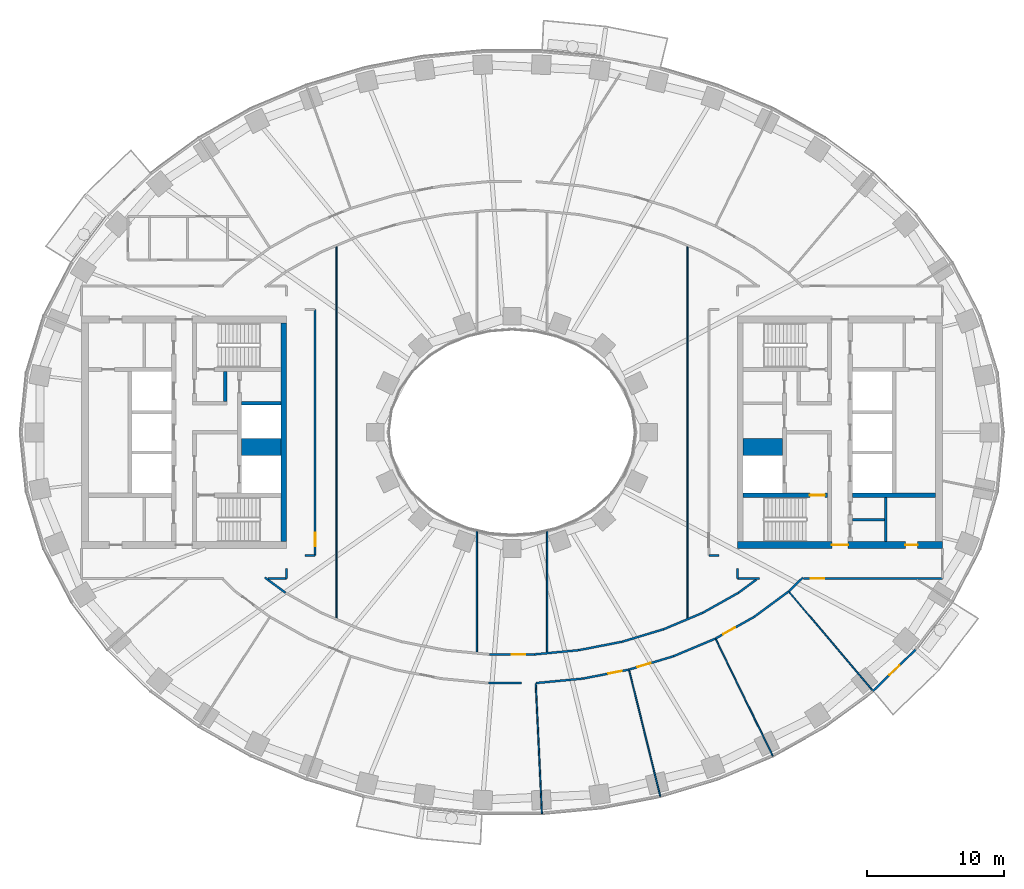
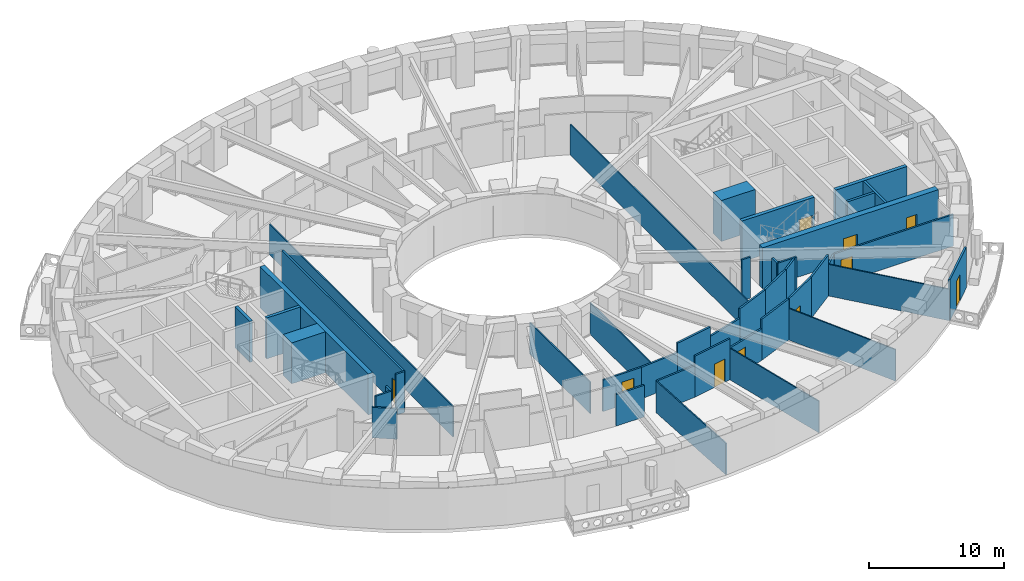
# One storey, part 4 of 16: 43 walls, 10 doors, 10 openings.
"""IFC4 building model written with IfcOpenShell, lengths in metres."""

import ifcopenshell
import ifcopenshell.guid

model = None  # the IFC model being written
_history = None  # IfcOwnerHistory: only IFC2X3 demands one
_inside = {}  # id of a spatial element -> (the spatial element, [elements in it])
_under = {}  # id of a project, library or spatial element -> (it, [spatial elements below it])
_declared = {}  # id of a project -> (the project, [libraries it declares])
_typed = {}  # id of a type object -> (the type object, [elements of that type])
_made_of = {}  # id of a material, layer set ... -> (it, [elements and type objects made of it])


def new_model(schema):
    """Start an empty IFC model of exactly this schema.

    Asked for "IFC4X3", IfcOpenShell would pick the latest addendum, in which some entities
    have other attributes; the version numbers below select the first issue.
    IFC2X3 requires an IfcOwnerHistory on every rooted entity: one is made here for all.
    """
    global model, _history
    if schema == "IFC4X3":
        model = ifcopenshell.file(schema_version=(4, 3, 0, 0))
    else:
        model = ifcopenshell.file(schema=schema)
    _inside.clear()
    _under.clear()
    _declared.clear()
    _typed.clear()
    _made_of.clear()
    _history = None
    if model.schema == "IFC2X3":
        org = make("IfcOrganization", Name="unknown")
        user = make(
            "IfcPersonAndOrganization",
            ThePerson=make("IfcPerson", FamilyName="unknown"),
            TheOrganization=org,
        )
        app = make(
            "IfcApplication",
            ApplicationDeveloper=org,
            Version="unknown",
            ApplicationFullName="unknown",
            ApplicationIdentifier="unknown",
        )
        _history = make(
            "IfcOwnerHistory",
            OwningUser=user,
            OwningApplication=app,
            ChangeAction="ADDED",
            CreationDate=0,
        )
    return model


def make(cls, **values):
    """One entity of the class cls with the attributes given. An attribute that is None is left unset."""
    return model.create_entity(
        cls, **{name: value for name, value in values.items() if value is not None}
    )


def rooted(cls, **values):
    """An entity with a GlobalId (a new one), such as an element, a storey or a relation."""
    return make(cls, GlobalId=ifcopenshell.guid.new(), OwnerHistory=_history, **values)


def si_unit(unit_type, name, prefix=None):
    """IfcSIUnit, for example si_unit("LENGTHUNIT", "METRE", prefix="MILLI")."""
    return make("IfcSIUnit", UnitType=unit_type, Prefix=prefix, Name=name)


def assignment(units):
    """IfcUnitAssignment: the units of a project."""
    return None if units is None else make("IfcUnitAssignment", Units=units)


def point(xyz):
    """IfcCartesianPoint."""
    return None if xyz is None else make("IfcCartesianPoint", Coordinates=xyz)


def direction(xyz):
    """IfcDirection."""
    return None if xyz is None else make("IfcDirection", DirectionRatios=xyz)


def frame(location, z_axis=None, x_axis=None):
    """IfcAxis2Placement3D, a coordinate frame: its origin and axes. An axis left out is left unset."""
    return make(
        "IfcAxis2Placement3D",
        Location=point(location),
        Axis=direction(z_axis),
        RefDirection=direction(x_axis),
    )


def frame_2d(location, x_axis=None):
    """IfcAxis2Placement2D, a coordinate frame in the plane: its origin and x axis."""
    return make(
        "IfcAxis2Placement2D", Location=point(location), RefDirection=direction(x_axis)
    )


def origin():
    """The frame at (0, 0, 0) with its axes left unset."""
    return frame((0.0, 0.0, 0.0))


def place(relative_to, where):
    """IfcLocalPlacement: puts the frame where relative to a parent placement (None: the world)."""
    return make(
        "IfcLocalPlacement", PlacementRelTo=relative_to, RelativePlacement=where
    )


def context(
    kind, dimensions, precision=None, world=None, true_north=None, identifier=None
):
    """IfcGeometricRepresentationContext, for example the 3D "Model" context."""
    return make(
        "IfcGeometricRepresentationContext",
        ContextIdentifier=identifier,
        ContextType=kind,
        CoordinateSpaceDimension=dimensions,
        Precision=precision,
        WorldCoordinateSystem=world,
        TrueNorth=true_north,
    )


def subcontext(parent, identifier, kind, view, scale=None):
    """IfcGeometricRepresentationSubContext, for example "Body" below "Model"."""
    return make(
        "IfcGeometricRepresentationSubContext",
        ContextIdentifier=identifier,
        ContextType=kind,
        ParentContext=parent,
        TargetScale=scale,
        TargetView=view,
    )


def project(units=None, contexts=None):
    """IfcProject with its units and contexts."""
    return rooted(
        "IfcProject",
        Name="project",
        RepresentationContexts=contexts,
        UnitsInContext=assignment(units),
    )


def spatial(cls, under=None, at=None, **own):
    """A site, building, storey or space (cls), placed at a placement, below another one or the project."""
    s = rooted(cls, ObjectPlacement=at, **own)
    if under is not None:
        _under.setdefault(under.id(), (under, []))[1].append(s)
    return s


def profile(cls, at=None, kind="AREA", **sizes):
    """A parametric profile (cls). Its sizes go by their IFC names, for example OverallWidth=200.0."""
    return make(cls, ProfileType=kind, Position=at, **sizes)


def rectangle(**sizes):
    """IfcRectangleProfileDef."""
    return profile("IfcRectangleProfileDef", **sizes)


def extrude(swept, where, along, depth):
    """IfcExtrudedAreaSolid: the profile swept, set in the frame where, extruded along a direction by depth."""
    return make(
        "IfcExtrudedAreaSolid",
        SweptArea=swept,
        Position=where,
        ExtrudedDirection=direction(along),
        Depth=depth,
    )


def shape(context_of_items, identifier, shape_type, items):
    """IfcShapeRepresentation: the items that make up one representation, for example the "Body"."""
    return make(
        "IfcShapeRepresentation",
        ContextOfItems=context_of_items,
        RepresentationIdentifier=identifier,
        RepresentationType=shape_type,
        Items=items,
    )


def material(Name=None, Category=None):
    """IfcMaterial."""
    return make("IfcMaterial", Name=Name, Category=Category)


def layer(
    of_material, thickness, ventilated=None, Name=None, Category=None, Priority=None
):
    """IfcMaterialLayer: one layer of a wall or slab, of a material (None: an air gap)."""
    return make(
        "IfcMaterialLayer",
        Material=of_material,
        LayerThickness=thickness,
        IsVentilated=ventilated,
        Name=Name,
        Category=Category,
        Priority=Priority,
    )


def layer_set(layers, Name=None):
    """IfcMaterialLayerSet."""
    return make("IfcMaterialLayerSet", MaterialLayers=layers, LayerSetName=Name)


def made_of(thing, what):
    """Note that an element or type object is made of a material, layer set ...; save() writes the relation."""
    if what is not None:
        _made_of.setdefault(what.id(), (what, []))[1].append(thing)
    return thing


def type_object(cls, material=None, **own):
    """A type object (cls), such as IfcWallType, which elements share."""
    return made_of(rooted(cls, **own), material)


def element(
    cls,
    number,
    at=None,
    inside=None,
    cuts=None,
    type_object=None,
    material=None,
    context=None,
    identifier="Body",
    shape_type=None,
    held_by="IfcProductDefinitionShape",
    body=None,
    shapes=None,
    **own,
):
    """One element of the class cls, such as IfcWall. Its Tag is "e" and its number.

    at: its placement. inside: the storey or other place that contains it. cuts: it is an
    opening in that element (IfcRelVoidsElement). A single representation is given by context,
    identifier, shape_type and body (its items); several are given by shapes. held_by: the class
    of the entity that holds the representations. save() writes the other relations.
    """
    e = rooted(cls, Tag="e%d" % number, ObjectPlacement=at, **own)
    if body is not None:
        shapes = [shape(context, identifier, shape_type, body)]
    if shapes is not None:
        e.Representation = make(held_by, Representations=shapes)
    if inside is not None:
        _inside.setdefault(inside.id(), (inside, []))[1].append(e)
    if cuts is not None:
        rooted(
            "IfcRelVoidsElement", RelatingBuildingElement=cuts, RelatedOpeningElement=e
        )
    if type_object is not None:
        _typed.setdefault(type_object.id(), (type_object, []))[1].append(e)
    return made_of(e, material)


def fill(opening, filler):
    """IfcRelFillsElement: the door or window that sits in an opening."""
    return rooted(
        "IfcRelFillsElement",
        RelatingOpeningElement=opening,
        RelatedBuildingElement=filler,
    )


def aggregate(whole, parts):
    """IfcRelAggregates: a whole, such as a stair, and the parts it consists of."""
    return rooted("IfcRelAggregates", RelatingObject=whole, RelatedObjects=parts)


def save(model, path):
    """Write the relations noted so far, then the file.

    IfcRelAggregates (storeys below a building ...), IfcRelContainedInSpatialStructure (elements
    in a storey), IfcRelDefinesByType, IfcRelAssociatesMaterial and IfcRelDeclares: one each for
    every whole, place, type object, material and project.
    """
    for whole, parts in _under.values():
        aggregate(whole, parts)
    for where, things in _inside.values():
        rooted(
            "IfcRelContainedInSpatialStructure",
            RelatedElements=things,
            RelatingStructure=where,
        )
    for kind, things in _typed.values():
        rooted("IfcRelDefinesByType", RelatedObjects=things, RelatingType=kind)
    for what, things in _made_of.values():
        rooted("IfcRelAssociatesMaterial", RelatedObjects=things, RelatingMaterial=what)
    for by, libraries in _declared.values():
        rooted("IfcRelDeclares", RelatingContext=by, RelatedDefinitions=libraries)
    model.write(path)


model = new_model("IFC4")

# Units and contexts
model_context = context("Model", 3, precision=1e-05, world=origin(), true_north=direction((0.0, 1.0)))
body_context = subcontext(model_context, "Body", "Model", "MODEL_VIEW")
ifc_project = project(units=[si_unit("LENGTHUNIT", "METRE"), si_unit("AREAUNIT", "SQUARE_METRE"), si_unit("VOLUMEUNIT", "CUBIC_METRE"), si_unit("PLANEANGLEUNIT", "RADIAN"), si_unit("MASSUNIT", "GRAM", prefix="KILO")], contexts=[model_context])

# Site, building, storey
site_placement = place(None, origin())
site = spatial("IfcSite", under=ifc_project, at=site_placement, CompositionType="ELEMENT")
building_placement = place(site_placement, origin())
building = spatial("IfcBuilding", under=site, at=building_placement, Name="Noorbagh Ring Tower", CompositionType="ELEMENT")
storey_placement = place(building_placement, frame((0.0, 0.0, 70.5)))
storey = spatial("IfcBuildingStorey", under=building, at=storey_placement, Name="L15", CompositionType="ELEMENT", Elevation=70.5)

# Walls
ifc_material_1 = material(Name="Gypsum board on steel studs", Category="steel")
ifc_layer_1 = layer(ifc_material_1, 0.199951171875)
ifc_layer_set_1 = layer_set([ifc_layer_1], Name="Gypsum board on steel studs")
wall_type_1 = type_object("IfcWallType", Name="CORE-PARTITION-200", PredefinedType="PARTITIONING", material=ifc_layer_set_1)
wall_1_placement = place(storey_placement, frame((27.35009765625, -8.0, 0.0), z_axis=(0.0, 0.0, 1.0), x_axis=(0.0, 1.0, 0.0)))
element("IfcWall", 1, at=wall_1_placement, inside=storey, type_object=wall_type_1, Name="Core partition E", PredefinedType="PARTITIONING", context=body_context, shape_type="SweptSolid", body=[
    extrude(rectangle(XDim=3.25, YDim=0.199951171875, at=frame_2d((1.625, 0.0))), origin(), (0.0, 0.0, 1.0), 3.699951171875),
])
wall_2_placement = place(storey_placement, frame((24.89990234375, -6.39990234375, 0.0), z_axis=(0.0, 0.0, 1.0), x_axis=(1.0, 0.0, 0.0)))
element("IfcWall", 2, at=wall_2_placement, inside=storey, type_object=wall_type_1, Name="Core partition E", PredefinedType="PARTITIONING", context=body_context, shape_type="SweptSolid", body=[
    extrude(rectangle(XDim=2.35009765625, YDim=0.199951171875, at=frame_2d((1.175048828125, 0.0))), origin(), (0.0, 0.0, 1.0), 3.699951171875),
])
ifc_material_2 = material(Name="Concrete C70/85", Category="concrete")
ifc_layer_2 = layer(ifc_material_2, 1.25)
ifc_layer_set_2 = layer_set([ifc_layer_2], Name="Concrete C70/85")
wall_type_2 = type_object("IfcWallType", Name="CORE-WALL-1250-C70-85-EI120", PredefinedType="SHEAR", material=ifc_layer_set_2)
for number, where, z_axis, x_axis, name in (
    (3, (-16.89990234375, -1.074951171875, 0.0), (0.0, 0.0, 1.0), (-1.0, 0.0, 0.0), "Core wall W"),
    (4, (16.89990234375, -1.074951171875, 0.0), (0.0, 0.0, 1.0), (1.0, 0.0, 0.0), "Core wall E"),
):
    element("IfcWall", number, at=place(storey_placement, frame(where, z_axis=z_axis, x_axis=x_axis)), inside=storey, type_object=wall_type_2, Name=name, PredefinedType="SHEAR", context=body_context, shape_type="SweptSolid", body=[
        extrude(rectangle(XDim=2.900146484375, YDim=1.25, at=frame_2d((1.4501953125, 0.0))), origin(), (0.0, 0.0, 1.0), 3.699951171875),
    ])
ifc_material_3 = material(Name="Concrete C70/85", Category="concrete")
ifc_layer_3 = layer(ifc_material_3, 0.25)
ifc_layer_set_3 = layer_set([ifc_layer_3], Name="Concrete C70/85")
wall_type_3 = type_object("IfcWallType", Name="CORE-WALL-250-C70-85-EI120", PredefinedType="SHEAR", material=ifc_layer_set_3)
wall_3_placement = place(storey_placement, frame((-16.89990234375, 2.125, 0.0), z_axis=(0.0, 0.0, 1.0), x_axis=(-1.0, 0.0, 0.0)))
element("IfcWall", 5, at=wall_3_placement, inside=storey, type_object=wall_type_3, Name="Core wall W", PredefinedType="SHEAR", context=body_context, shape_type="SweptSolid", body=[
    extrude(rectangle(XDim=2.900146484375, YDim=0.25, at=frame_2d((1.4501953125, 0.0))), origin(), (0.0, 0.0, 1.0), 3.699951171875),
])
ifc_material_4 = material(Name="Concrete C70/85", Category="concrete")
ifc_layer_4 = layer(ifc_material_4, 0.25)
ifc_layer_set_4 = layer_set([ifc_layer_4], Name="Concrete C70/85")
wall_type_4 = type_object("IfcWallType", Name="CORE-WALL-250-C70-85-EI240", PredefinedType="SHEAR", material=ifc_layer_set_4)
wall_4_placement = place(storey_placement, frame((-20.97509765625, 2.25, 0.0), z_axis=(0.0, 0.0, 1.0), x_axis=(0.0, 1.0, 0.0)))
element("IfcWall", 6, at=wall_4_placement, inside=storey, type_object=wall_type_4, Name="Core wall W", PredefinedType="SHEAR", context=body_context, shape_type="SweptSolid", body=[
    extrude(rectangle(XDim=2.199951171875, YDim=0.25, at=frame_2d((1.10009765625, 0.0))), origin(), (0.0, 0.0, 1.0), 3.699951171875),
])
ifc_material_5 = material(Name="Concrete C70/85", Category="concrete")
ifc_layer_5 = layer(ifc_material_5, 0.300048828125)
ifc_layer_set_5 = layer_set([ifc_layer_5], Name="Concrete C70/85")
wall_type_5 = type_object("IfcWallType", Name="CORE-WALL-300-C70-85-EI240", PredefinedType="SHEAR", material=ifc_layer_set_5)
wall_5_placement = place(storey_placement, frame((24.89990234375, -4.60009765625, 0.0), z_axis=(0.0, 0.0, 1.0), x_axis=(1.0, 0.0, 0.0)))
element("IfcWall", 7, at=wall_5_placement, inside=storey, type_object=wall_type_5, Name="Core wall E", PredefinedType="SHEAR", context=body_context, shape_type="SweptSolid", body=[
    extrude(rectangle(XDim=6.10009765625, YDim=0.300048828125, at=frame_2d((3.050048828125, 0.0))), origin(), (0.0, 0.0, 1.0), 3.699951171875),
])

# Wall, opening, door
wall_6_placement = place(storey_placement, frame((16.89990234375, -4.60009765625, 0.0), z_axis=(0.0, 0.0, 1.0), x_axis=(1.0, 0.0, 0.0)))
wall_6 = element("IfcWall", 8, at=wall_6_placement, inside=storey, type_object=wall_type_5, Name="Core wall E", PredefinedType="SHEAR", context=body_context, shape_type="SweptSolid", body=[
    extrude(rectangle(XDim=6.18017578125, YDim=0.300048828125, at=frame_2d((3.090087890625, 0.0))), origin(), (0.0, 0.0, 1.0), 3.699951171875),
])
opening_1_placement = place(wall_6_placement, frame((4.89990234375, 0.0, 0.0)))
opening_1 = element("IfcOpeningElement", 9, at=opening_1_placement, cuts=wall_6, Name="Opening L15-CE06", PredefinedType="OPENING", context=body_context, shape_type="SweptSolid", body=[
    extrude(rectangle(XDim=1.10009765625, YDim=2.10009765625, at=frame_2d((0.550048828125, 1.050048828125))), frame((0.0, 0.16015625, 0.0), z_axis=(0.0, -1.0, 0.0), x_axis=(1.0, 0.0, 0.0)), (0.0, 0.0, 1.0), 0.320068359375),
])
ifc_material_6 = material(Name="Steel door leaf", Category="steel")
door_type_1 = type_object("IfcDoorType", Name="CORE-DOOR-DSTAIR", OperationType="SINGLE_SWING_LEFT", PredefinedType="DOOR", material=ifc_material_6)
door_1_placement = place(opening_1_placement, origin())
door_1 = element("IfcDoor", 10, at=door_1_placement, inside=storey, type_object=door_type_1, Name="Stair door ST4 L15-CE06", OperationType="SINGLE_SWING_RIGHT", OverallHeight=2.10009765625, OverallWidth=1.10009765625, PredefinedType="DOOR", context=body_context, shape_type="SweptSolid", body=[
    extrude(rectangle(XDim=1.10009765625, YDim=2.10009765625, at=frame_2d((0.550048828125, 1.050048828125))), frame((0.0, 0.02490234375, 0.0), z_axis=(0.0, -1.0, 0.0), x_axis=(1.0, 0.0, 0.0)), (0.0, 0.0, 1.0), 0.050048828125),
])
fill(opening_1, door_1)

# Wall
ifc_material_7 = material(Name="Concrete C70/85", Category="concrete")
ifc_layer_6 = layer(ifc_material_7, 0.39990234375)
ifc_layer_set_6 = layer_set([ifc_layer_6], Name="Concrete C70/85")
wall_type_6 = type_object("IfcWallType", Name="CORE-WALL-400-C70-85-EI240", PredefinedType="SHEAR", material=ifc_layer_set_6)
wall_7_placement = place(storey_placement, frame((-16.699951171875, -8.0, 0.0), z_axis=(0.0, 0.0, 1.0), x_axis=(0.0, 1.0, 0.0)))
element("IfcWall", 11, at=wall_7_placement, inside=storey, type_object=wall_type_6, Name="Core wall W", PredefinedType="SHEAR", context=body_context, shape_type="SweptSolid", body=[
    extrude(rectangle(XDim=16.0, YDim=0.39990234375, at=frame_2d((8.0, 0.0))), origin(), (0.0, 0.0, 1.0), 3.699951171875),
])

# Wall, openings, doors
ifc_material_8 = material(Name="Concrete C70/85", Category="concrete")
ifc_layer_7 = layer(ifc_material_8, 0.5)
ifc_layer_set_7 = layer_set([ifc_layer_7], Name="Concrete C70/85")
wall_type_7 = type_object("IfcWallType", Name="CORE-WALL-500-C70-85-EI240", PredefinedType="SHEAR", material=ifc_layer_set_7)
wall_8_placement = place(storey_placement, frame((16.5, -8.25, 0.0), z_axis=(0.0, 0.0, 1.0), x_axis=(1.0, 0.0, 0.0)))
wall_8 = element("IfcWall", 12, at=wall_8_placement, inside=storey, type_object=wall_type_7, Name="Core wall E", PredefinedType="SHEAR", context=body_context, shape_type="SweptSolid", body=[
    extrude(rectangle(XDim=15.0, YDim=0.5, at=frame_2d((7.5, 0.0))), origin(), (0.0, 0.0, 1.0), 3.699951171875),
])
opening_2_placement = place(wall_8_placement, frame((6.89990234375, 0.0, 0.0)))
opening_2 = element("IfcOpeningElement", 13, at=opening_2_placement, cuts=wall_8, Name="Opening L15-CE10", PredefinedType="OPENING", context=body_context, shape_type="SweptSolid", body=[
    extrude(rectangle(XDim=1.199951171875, YDim=2.10009765625, at=frame_2d((0.60009765625, 1.050048828125))), frame((0.0, 0.260009765625, 0.0), z_axis=(0.0, -1.0, 0.0), x_axis=(1.0, 0.0, 0.0)), (0.0, 0.0, 1.0), 0.52001953125),
])
opening_3_placement = place(wall_8_placement, frame((12.27490234375, 0.0, 0.0)))
opening_3 = element("IfcOpeningElement", 14, at=opening_3_placement, cuts=wall_8, Name="Opening L15-CE17", PredefinedType="OPENING", context=body_context, shape_type="SweptSolid", body=[
    extrude(rectangle(XDim=0.89990234375, YDim=2.10009765625, at=frame_2d((0.449951171875, 1.050048828125))), frame((0.0, 0.260009765625, 0.0), z_axis=(0.0, -1.0, 0.0), x_axis=(1.0, 0.0, 0.0)), (0.0, 0.0, 1.0), 0.52001953125),
])
ifc_material_9 = material(Name="Steel door leaf", Category="steel")
door_type_2 = type_object("IfcDoorType", Name="CORE-DOOR-DROOM", OperationType="SINGLE_SWING_LEFT", PredefinedType="DOOR", material=ifc_material_9)
door_2_placement = place(opening_3_placement, origin())
door_2 = element("IfcDoor", 15, at=door_2_placement, inside=storey, type_object=door_type_2, Name="Core room door L15-CE17", OperationType="SINGLE_SWING_RIGHT", OverallHeight=2.10009765625, OverallWidth=0.89990234375, PredefinedType="DOOR", context=body_context, shape_type="SweptSolid", body=[
    extrude(rectangle(XDim=0.89990234375, YDim=2.10009765625, at=frame_2d((0.449951171875, 1.050048828125))), frame((0.0, 0.02490234375, 0.0), z_axis=(0.0, -1.0, 0.0), x_axis=(1.0, 0.0, 0.0)), (0.0, 0.0, 1.0), 0.050048828125),
])
fill(opening_3, door_2)
ifc_material_10 = material(Name="Steel door leaf", Category="steel")
door_type_3 = type_object("IfcDoorType", Name="CORE-DOOR-PORT", OperationType="DOUBLE_DOOR_DOUBLE_SWING", PredefinedType="DOOR", material=ifc_material_10)
door_3_placement = place(opening_2_placement, origin())
door_3 = element("IfcDoor", 16, at=door_3_placement, inside=storey, type_object=door_type_3, Name="Core entrance door L15-CE10", OperationType="DOUBLE_DOOR_DOUBLE_SWING", OverallHeight=2.10009765625, OverallWidth=1.199951171875, PredefinedType="DOOR", context=body_context, shape_type="SweptSolid", body=[
    extrude(rectangle(XDim=1.199951171875, YDim=2.10009765625, at=frame_2d((0.60009765625, 1.050048828125))), frame((0.0, 0.02490234375, 0.0), z_axis=(0.0, -1.0, 0.0), x_axis=(1.0, 0.0, 0.0)), (0.0, 0.0, 1.0), 0.050048828125),
])
fill(opening_2, door_3)

# Walls
ifc_material_11 = material(Name="Gypsum board on steel studs", Category="steel")
ifc_layer_8 = layer(ifc_material_11, 0.14990234375)
ifc_layer_set_8 = layer_set([ifc_layer_8], Name="Gypsum board on steel studs")
wall_type_8 = type_object("IfcWallType", Name="CORRIDOR PARTITION 150 EI 30", PredefinedType="PARTITIONING", material=ifc_layer_set_8)
wall_9_placement = place(storey_placement, frame((-18.0830078125, -10.625, 0.0), z_axis=(0.0, 0.0, 1.0), x_axis=(0.805150898842, -0.593070004379, 0.0)))
element("IfcWall", 17, at=wall_9_placement, inside=storey, type_object=wall_type_8, Name="L15/wall/P21", PredefinedType="PARTITIONING", context=body_context, shape_type="SweptSolid", body=[
    extrude(rectangle(XDim=1.871826171875, YDim=0.14990234375, at=frame_2d((0.93603515625, 0.0))), origin(), (0.0, 0.0, 1.0), 2.75),
])
wall_10_placement = place(storey_placement, frame((-17.85498046875, -10.699951171875, 0.0), z_axis=(0.0, 0.0, 1.0), x_axis=(1.0, 0.0, 0.0)))
element("IfcWall", 18, at=wall_10_placement, inside=storey, type_object=wall_type_8, Name="L15/wall/P22", PredefinedType="PARTITIONING", context=body_context, shape_type="SweptSolid", body=[
    extrude(rectangle(XDim=1.35498046875, YDim=0.14990234375, at=frame_2d((0.677490234375, 0.0))), origin(), (0.0, 0.0, 1.0), 3.699951171875),
])
wall_11_placement = place(storey_placement, frame((-16.5, -10.699951171875, 0.0), z_axis=(0.0, 0.0, 1.0), x_axis=(0.0, 1.0, 0.0)))
element("IfcWall", 19, at=wall_11_placement, inside=storey, type_object=wall_type_8, Name="L15/wall/P29", PredefinedType="PARTITIONING", context=body_context, shape_type="SweptSolid", body=[
    extrude(rectangle(XDim=0.73583984375, YDim=0.14990234375, at=frame_2d((0.367919921875, 0.0))), origin(), (0.0, 0.0, 1.0), 3.699951171875),
])
wall_12_placement = place(storey_placement, frame((-15.134033203125, -9.0, 0.0), z_axis=(0.0, 0.0, 1.0), x_axis=(1.0, 0.0, 0.0)))
element("IfcWall", 20, at=wall_12_placement, inside=storey, type_object=wall_type_8, Name="L15/wall/P31", PredefinedType="PARTITIONING", context=body_context, shape_type="SweptSolid", body=[
    extrude(rectangle(XDim=0.734130859375, YDim=0.14990234375, at=frame_2d((0.3671875, 0.0))), origin(), (0.0, 0.0, 1.0), 3.699951171875),
])

# Wall, opening, door
wall_13_placement = place(storey_placement, frame((-14.39990234375, -9.0, 0.0), z_axis=(0.0, 0.0, 1.0), x_axis=(0.0, 1.0, 0.0)))
wall_13 = element("IfcWall", 21, at=wall_13_placement, inside=storey, type_object=wall_type_8, Name="L15/wall/P37", PredefinedType="PARTITIONING", context=body_context, shape_type="SweptSolid", body=[
    extrude(rectangle(XDim=18.0, YDim=0.14990234375, at=frame_2d((9.0, 0.0))), origin(), (0.0, 0.0, 1.0), 3.699951171875),
])
opening_4_placement = place(wall_13_placement, frame((0.64990234375, 0.0, 0.0)))
opening_4 = element("IfcOpeningElement", 22, at=opening_4_placement, cuts=wall_13, Name="Opening D1", PredefinedType="OPENING", context=body_context, shape_type="SweptSolid", body=[
    extrude(rectangle(XDim=1.0, YDim=2.10009765625, at=frame_2d((0.5, 1.050048828125))), frame((0.0, 0.0849609375, 0.0), z_axis=(0.0, -1.0, 0.0), x_axis=(1.0, 0.0, 0.0)), (0.0, 0.0, 1.0), 0.169921875),
])
ifc_material_12 = material(Name="Timber, painted", Category="wood")
door_type_4 = type_object("IfcDoorType", Name="DOOR 1000 X 2100 FD30", OperationType="SINGLE_SWING_LEFT", PredefinedType="DOOR", material=ifc_material_12)
door_4_placement = place(opening_4_placement, origin())
door_4 = element("IfcDoor", 23, at=door_4_placement, inside=storey, type_object=door_type_4, Name="L15-D21", OperationType="SINGLE_SWING_LEFT", OverallHeight=2.10009765625, OverallWidth=1.0, PredefinedType="DOOR", context=body_context, shape_type="SweptSolid", body=[
    extrude(rectangle(XDim=1.0, YDim=2.10009765625, at=frame_2d((0.5, 1.050048828125))), frame((0.0, 0.02490234375, 0.0), z_axis=(0.0, -1.0, 0.0), x_axis=(1.0, 0.0, 0.0)), (0.0, 0.0, 1.0), 0.050048828125),
])
fill(opening_4, door_4)

# Wall
wall_14_placement = place(storey_placement, frame((-1.736083984375, -18.347900390625, 0.0), z_axis=(0.0, 0.0, 1.0), x_axis=(1.0, 0.0, 0.0)))
element("IfcWall", 24, at=wall_14_placement, inside=storey, type_object=wall_type_8, Name="L15/wall/P55", PredefinedType="PARTITIONING", context=body_context, shape_type="SweptSolid", body=[
    extrude(rectangle(XDim=2.4130859375, YDim=0.14990234375, at=frame_2d((1.20654296875, 0.0))), origin(), (0.0, 0.0, 1.0), 2.85009765625),
])

# Wall, opening, door
wall_15_placement = place(storey_placement, frame((-1.635986328125, -16.248046875, 0.0), z_axis=(0.0, 0.0, 1.0), x_axis=(1.0, 0.0, 0.0)))
wall_15 = element("IfcWall", 25, at=wall_15_placement, inside=storey, type_object=wall_type_8, Name="L15/wall/P57", PredefinedType="PARTITIONING", context=body_context, shape_type="SweptSolid", body=[
    extrude(rectangle(XDim=3.27197265625, YDim=0.14990234375, at=frame_2d((1.635986328125, 0.0))), origin(), (0.0, 0.0, 1.0), 2.85009765625),
])
opening_5_placement = place(wall_15_placement, frame((1.6220703125, 0.0, 0.0)))
opening_5 = element("IfcOpeningElement", 26, at=opening_5_placement, cuts=wall_15, Name="Opening D1", PredefinedType="OPENING", context=body_context, shape_type="SweptSolid", body=[
    extrude(rectangle(XDim=1.0, YDim=2.10009765625, at=frame_2d((0.5, 1.050048828125))), frame((0.0, 0.0849609375, 0.0), z_axis=(0.0, -1.0, 0.0), x_axis=(1.0, 0.0, 0.0)), (0.0, 0.0, 1.0), 0.169921875),
])
door_5_placement = place(opening_5_placement, origin())
door_5 = element("IfcDoor", 27, at=door_5_placement, inside=storey, type_object=door_type_4, Name="L15-D23", OperationType="SINGLE_SWING_LEFT", OverallHeight=2.10009765625, OverallWidth=1.0, PredefinedType="DOOR", context=body_context, shape_type="SweptSolid", body=[
    extrude(rectangle(XDim=1.0, YDim=2.10009765625, at=frame_2d((0.5, 1.050048828125))), frame((0.0, 0.02490234375, 0.0), z_axis=(0.0, -1.0, 0.0), x_axis=(1.0, 0.0, 0.0)), (0.0, 0.0, 1.0), 0.050048828125),
])
fill(opening_5, door_5)

# Walls
wall_16_placement = place(storey_placement, frame((1.635986328125, -16.248046875, 0.0), z_axis=(0.0, 0.0, 1.0), x_axis=(0.99547459835, 0.095028017131, 0.0)))
element("IfcWall", 28, at=wall_16_placement, inside=storey, type_object=wall_type_8, Name="L15/wall/P59", PredefinedType="PARTITIONING", context=body_context, shape_type="SweptSolid", body=[
    extrude(rectangle(XDim=3.2626953125, YDim=0.14990234375, at=frame_2d((1.63134765625, 0.0))), origin(), (0.0, 0.0, 1.0), 2.85009765625),
])
wall_17_placement = place(storey_placement, frame((1.756103515625, -18.345947265625, 0.0), z_axis=(0.0, 0.0, 1.0), x_axis=(0.99548367506, 0.094932885187, 0.0)))
element("IfcWall", 29, at=wall_17_placement, inside=storey, type_object=wall_type_8, Name="L15/wall/P62", PredefinedType="PARTITIONING", context=body_context, shape_type="SweptSolid", body=[
    extrude(rectangle(XDim=3.443603515625, YDim=0.14990234375, at=frame_2d((1.7216796875, 0.0))), origin(), (0.0, 0.0, 1.0), 2.85009765625),
])
wall_18_placement = place(storey_placement, frame((4.884033203125, -15.93798828125, 0.0), z_axis=(0.0, 0.0, 1.0), x_axis=(0.981604377859, 0.190926282547, 0.0)))
element("IfcWall", 30, at=wall_18_placement, inside=storey, type_object=wall_type_8, Name="L15/wall/P67", PredefinedType="PARTITIONING", context=body_context, shape_type="SweptSolid", body=[
    extrude(rectangle(XDim=3.231201171875, YDim=0.14990234375, at=frame_2d((1.61572265625, 0.0))), origin(), (0.0, 0.0, 1.0), 3.699951171875),
])

# Wall, opening, door
wall_19_placement = place(storey_placement, frame((5.18408203125, -18.01904296875, 0.0), z_axis=(0.0, 0.0, 1.0), x_axis=(0.981650299947, 0.190690032812, 0.0)))
wall_19 = element("IfcWall", 31, at=wall_19_placement, inside=storey, type_object=wall_type_8, Name="L15/wall/P69", PredefinedType="PARTITIONING", context=body_context, shape_type="SweptSolid", body=[
    extrude(rectangle(XDim=3.419677734375, YDim=0.14990234375, at=frame_2d((1.7099609375, 0.0))), origin(), (0.0, 0.0, 1.0), 3.699951171875),
])
opening_6_placement = place(wall_19_placement, frame((1.89990234375, 0.0, 0.0)))
opening_6 = element("IfcOpeningElement", 32, at=opening_6_placement, cuts=wall_19, Name="Opening D1", PredefinedType="OPENING", context=body_context, shape_type="SweptSolid", body=[
    extrude(rectangle(XDim=1.0, YDim=2.10009765625, at=frame_2d((0.5, 1.050048828125))), frame((0.0, 0.0849609375, 0.0), z_axis=(0.0, -1.0, 0.0), x_axis=(1.0, 0.0, 0.0)), (0.0, 0.0, 1.0), 0.169921875),
])
door_6_placement = place(opening_6_placement, origin())
door_6 = element("IfcDoor", 33, at=door_6_placement, inside=storey, type_object=door_type_4, Name="L15-D12", OperationType="SINGLE_SWING_RIGHT", OverallHeight=2.10009765625, OverallWidth=1.0, PredefinedType="DOOR", context=body_context, shape_type="SweptSolid", body=[
    extrude(rectangle(XDim=1.0, YDim=2.10009765625, at=frame_2d((0.5, 1.050048828125))), frame((0.0, 0.02490234375, 0.0), z_axis=(0.0, -1.0, 0.0), x_axis=(1.0, 0.0, 0.0)), (0.0, 0.0, 1.0), 0.050048828125),
])
fill(opening_6, door_6)

# Wall
wall_20_placement = place(storey_placement, frame((8.055908203125, -15.321044921875, 0.0), z_axis=(0.0, 0.0, 1.0), x_axis=(0.957612601062, 0.28805920622, 0.0)))
element("IfcWall", 34, at=wall_20_placement, inside=storey, type_object=wall_type_8, Name="L15/wall/P71", PredefinedType="PARTITIONING", context=body_context, shape_type="SweptSolid", body=[
    extrude(rectangle(XDim=3.179931640625, YDim=0.14990234375, at=frame_2d((1.58984375, 0.0))), origin(), (0.0, 0.0, 1.0), 2.85009765625),
])

# Wall, opening, door
wall_21_placement = place(storey_placement, frame((8.56005859375, -17.363037109375, 0.0), z_axis=(0.0, 0.0, 1.0), x_axis=(0.95754884035, 0.28827108482, 0.0)))
wall_21 = element("IfcWall", 35, at=wall_21_placement, inside=storey, type_object=wall_type_8, Name="L15/wall/P73", PredefinedType="PARTITIONING", context=body_context, shape_type="SweptSolid", body=[
    extrude(rectangle(XDim=3.396240234375, YDim=0.14990234375, at=frame_2d((1.6982421875, 0.0))), origin(), (0.0, 0.0, 1.0), 2.85009765625),
])
opening_7_placement = place(wall_21_placement, frame((0.64990234375, 0.0, 0.0)))
opening_7 = element("IfcOpeningElement", 36, at=opening_7_placement, cuts=wall_21, Name="Opening D1", PredefinedType="OPENING", context=body_context, shape_type="SweptSolid", body=[
    extrude(rectangle(XDim=1.0, YDim=2.10009765625, at=frame_2d((0.5, 1.050048828125))), frame((0.0, 0.0849609375, 0.0), z_axis=(0.0, -1.0, 0.0), x_axis=(1.0, 0.0, 0.0)), (0.0, 0.0, 1.0), 0.169921875),
])
door_7_placement = place(opening_7_placement, origin())
door_7 = element("IfcDoor", 37, at=door_7_placement, inside=storey, type_object=door_type_4, Name="L15-D13", OperationType="SINGLE_SWING_LEFT", OverallHeight=2.10009765625, OverallWidth=1.0, PredefinedType="DOOR", context=body_context, shape_type="SweptSolid", body=[
    extrude(rectangle(XDim=1.0, YDim=2.10009765625, at=frame_2d((0.5, 1.050048828125))), frame((0.0, 0.02490234375, 0.0), z_axis=(0.0, -1.0, 0.0), x_axis=(1.0, 0.0, 0.0)), (0.0, 0.0, 1.0), 0.050048828125),
])
fill(opening_7, door_7)

# Walls
wall_22_placement = place(storey_placement, frame((11.10107421875, -14.405029296875, 0.0), z_axis=(0.0, 0.0, 1.0), x_axis=(0.921753827375, 0.387775555857, 0.0)))
element("IfcWall", 38, at=wall_22_placement, inside=storey, type_object=wall_type_8, Name="L15/wall/P76", PredefinedType="PARTITIONING", context=body_context, shape_type="SweptSolid", body=[
    extrude(rectangle(XDim=3.1025390625, YDim=0.14990234375, at=frame_2d((1.55126953125, 0.0))), origin(), (0.0, 0.0, 1.0), 3.699951171875),
])
wall_23_placement = place(storey_placement, frame((11.81201171875, -16.384033203125, 0.0), z_axis=(0.0, 0.0, 1.0), x_axis=(0.921839278558, 0.387572373252, 0.0)))
element("IfcWall", 39, at=wall_23_placement, inside=storey, type_object=wall_type_8, Name="L15/wall/P78", PredefinedType="PARTITIONING", context=body_context, shape_type="SweptSolid", body=[
    extrude(rectangle(XDim=3.33349609375, YDim=0.14990234375, at=frame_2d((1.666748046875, 0.0))), origin(), (0.0, 0.0, 1.0), 3.699951171875),
])
wall_24_placement = place(storey_placement, frame((13.9609375, -13.201904296875, 0.0), z_axis=(0.0, 0.0, 1.0), x_axis=(0.872164226045, 0.489213207924, 0.0)))
element("IfcWall", 40, at=wall_24_placement, inside=storey, type_object=wall_type_8, Name="L15/wall/P81", PredefinedType="PARTITIONING", context=body_context, shape_type="SweptSolid", body=[
    extrude(rectangle(XDim=2.998291015625, YDim=0.14990234375, at=frame_2d((1.4990234375, 0.0))), origin(), (0.0, 0.0, 1.0), 3.699951171875),
])
wall_25_placement = place(storey_placement, frame((14.39990234375, -9.0, 0.0), z_axis=(0.0, 0.0, 1.0), x_axis=(1.0, 0.0, 0.0)))
element("IfcWall", 41, at=wall_25_placement, inside=storey, type_object=wall_type_8, Name="L15/wall/P84", PredefinedType="PARTITIONING", context=body_context, shape_type="SweptSolid", body=[
    extrude(rectangle(XDim=0.734130859375, YDim=0.14990234375, at=frame_2d((0.3671875, 0.0))), origin(), (0.0, 0.0, 1.0), 3.699951171875),
])

# Wall, opening, door
wall_26_placement = place(storey_placement, frame((14.902099609375, -15.08203125, 0.0), z_axis=(0.0, 0.0, 1.0), x_axis=(0.872144615544, 0.489248167679, 0.0)))
wall_26 = element("IfcWall", 42, at=wall_26_placement, inside=storey, type_object=wall_type_8, Name="L15/wall/P88", PredefinedType="PARTITIONING", context=body_context, shape_type="SweptSolid", body=[
    extrude(rectangle(XDim=3.2275390625, YDim=0.14990234375, at=frame_2d((1.61376953125, 0.0))), origin(), (0.0, 0.0, 1.0), 3.699951171875),
])
opening_8_placement = place(wall_26_placement, frame((0.63037109375, 0.0, 0.0)))
opening_8 = element("IfcOpeningElement", 43, at=opening_8_placement, cuts=wall_26, Name="Opening D1", PredefinedType="OPENING", context=body_context, shape_type="SweptSolid", body=[
    extrude(rectangle(XDim=1.0, YDim=2.10009765625, at=frame_2d((0.5, 1.050048828125))), frame((0.0, 0.0849609375, 0.0), z_axis=(0.0, -1.0, 0.0), x_axis=(1.0, 0.0, 0.0)), (0.0, 0.0, 1.0), 0.169921875),
])
door_8_placement = place(opening_8_placement, origin())
door_8 = element("IfcDoor", 44, at=door_8_placement, inside=storey, type_object=door_type_4, Name="L15-D15", OperationType="SINGLE_SWING_LEFT", OverallHeight=2.10009765625, OverallWidth=1.0, PredefinedType="DOOR", context=body_context, shape_type="SweptSolid", body=[
    extrude(rectangle(XDim=1.0, YDim=2.10009765625, at=frame_2d((0.5, 1.050048828125))), frame((0.0, 0.02490234375, 0.0), z_axis=(0.0, -1.0, 0.0), x_axis=(1.0, 0.0, 0.0)), (0.0, 0.0, 1.0), 0.050048828125),
])
fill(opening_8, door_8)

# Walls
wall_27_placement = place(storey_placement, frame((16.5, -10.699951171875, 0.0), z_axis=(0.0, 0.0, 1.0), x_axis=(0.0, 1.0, 0.0)))
element("IfcWall", 45, at=wall_27_placement, inside=storey, type_object=wall_type_8, Name="L15/wall/P90", PredefinedType="PARTITIONING", context=body_context, shape_type="SweptSolid", body=[
    extrude(rectangle(XDim=0.73583984375, YDim=0.14990234375, at=frame_2d((0.367919921875, 0.0))), origin(), (0.0, 0.0, 1.0), 3.699951171875),
])
wall_28_placement = place(storey_placement, frame((16.5, -10.699951171875, 0.0), z_axis=(0.0, 0.0, 1.0), x_axis=(1.0, 0.0, 0.0)))
element("IfcWall", 46, at=wall_28_placement, inside=storey, type_object=wall_type_8, Name="L15/wall/P91", PredefinedType="PARTITIONING", context=body_context, shape_type="SweptSolid", body=[
    extrude(rectangle(XDim=1.60693359375, YDim=0.14990234375, at=frame_2d((0.803466796875, 0.0))), origin(), (0.0, 0.0, 1.0), 3.699951171875),
])
wall_29_placement = place(storey_placement, frame((16.575927734375, -11.735107421875, 0.0), z_axis=(0.0, 0.0, 1.0), x_axis=(0.805021714708, 0.593245344566, 0.0)))
element("IfcWall", 47, at=wall_29_placement, inside=storey, type_object=wall_type_8, Name="L15/wall/P94", PredefinedType="PARTITIONING", context=body_context, shape_type="SweptSolid", body=[
    extrude(rectangle(XDim=1.61865234375, YDim=0.14990234375, at=frame_2d((0.809326171875, 0.0))), origin(), (0.0, 0.0, 1.0), 3.699951171875),
])
wall_30_placement = place(storey_placement, frame((17.717041015625, -13.5029296875, 0.0), z_axis=(0.0, 0.0, 1.0), x_axis=(0.805106688633, 0.593130019404, 0.0)))
element("IfcWall", 48, at=wall_30_placement, inside=storey, type_object=wall_type_8, Name="L15/wall/P96", PredefinedType="PARTITIONING", context=body_context, shape_type="SweptSolid", body=[
    extrude(rectangle(XDim=3.13720703125, YDim=0.14990234375, at=frame_2d((1.568603515625, 0.0))), origin(), (0.0, 0.0, 1.0), 3.699951171875),
])
wall_31_placement = place(storey_placement, frame((20.257080078125, -11.6279296875, 0.0), z_axis=(0.0, 0.0, 1.0), x_axis=(0.717129161976, 0.696940288005, 0.0)))
element("IfcWall", 49, at=wall_31_placement, inside=storey, type_object=wall_type_8, Name="L15/wall/P100", PredefinedType="PARTITIONING", context=body_context, shape_type="SweptSolid", body=[
    extrude(rectangle(XDim=1.43896484375, YDim=0.14990234375, at=frame_2d((0.719482421875, 0.0))), origin(), (0.0, 0.0, 1.0), 2.75),
])

# Wall, opening, door
wall_32_placement = place(storey_placement, frame((21.320068359375, -10.699951171875, 0.0), z_axis=(0.0, 0.0, 1.0), x_axis=(1.0, 0.0, 0.0)))
wall_32 = element("IfcWall", 50, at=wall_32_placement, inside=storey, type_object=wall_type_8, Name="L15/wall/P102", PredefinedType="PARTITIONING", context=body_context, shape_type="SweptSolid", body=[
    extrude(rectangle(XDim=10.179931640625, YDim=0.14990234375, at=frame_2d((5.08984375, 0.0))), origin(), (0.0, 0.0, 1.0), 2.85009765625),
])
opening_9_placement = place(wall_32_placement, frame((0.5419921875, 0.0, 0.0)))
opening_9 = element("IfcOpeningElement", 51, at=opening_9_placement, cuts=wall_32, Name="Opening D1", PredefinedType="OPENING", context=body_context, shape_type="SweptSolid", body=[
    extrude(rectangle(XDim=1.0, YDim=2.10009765625, at=frame_2d((0.5, 1.050048828125))), frame((0.0, 0.0849609375, 0.0), z_axis=(0.0, -1.0, 0.0), x_axis=(1.0, 0.0, 0.0)), (0.0, 0.0, 1.0), 0.169921875),
])
door_9_placement = place(opening_9_placement, origin())
door_9 = element("IfcDoor", 52, at=door_9_placement, inside=storey, type_object=door_type_4, Name="L15-D17", OperationType="SINGLE_SWING_LEFT", OverallHeight=2.10009765625, OverallWidth=1.0, PredefinedType="DOOR", context=body_context, shape_type="SweptSolid", body=[
    extrude(rectangle(XDim=1.0, YDim=2.10009765625, at=frame_2d((0.5, 1.050048828125))), frame((0.0, 0.02490234375, 0.0), z_axis=(0.0, -1.0, 0.0), x_axis=(1.0, 0.0, 0.0)), (0.0, 0.0, 1.0), 0.050048828125),
])
fill(opening_9, door_9)

ifc_material_13 = material(Name="Insulated aluminium clad panel", Category="aluminium")
ifc_layer_9 = layer(ifc_material_13, 0.14990234375)
ifc_layer_set_9 = layer_set([ifc_layer_9], Name="Insulated aluminium clad panel")
wall_type_9 = type_object("IfcWallType", Name="ENV-WALL-DOOR", PredefinedType="STANDARD", material=ifc_layer_set_9)
wall_33_placement = place(storey_placement, frame((26.396484375, -18.943359375, 0.0), z_axis=(0.0, 0.0, 1.0), x_axis=(0.717214761864, 0.696852197647, 0.0)))
wall_33 = element("IfcWall", 53, at=wall_33_placement, inside=storey, type_object=wall_type_9, Name="Balcony door wall chord 42", PredefinedType="STANDARD", context=body_context, shape_type="SweptSolid", body=[
    extrude(rectangle(XDim=4.424072265625, YDim=0.14990234375, at=frame_2d((2.2119140625, 0.0))), origin(), (0.0, 0.0, 1.0), 3.699951171875),
])
opening_10_placement = place(wall_33_placement, frame((1.712158203125, 0.0, 0.0)))
opening_10 = element("IfcOpeningElement", 54, at=opening_10_placement, cuts=wall_33, Name="Opening D-BL", PredefinedType="OPENING", context=body_context, shape_type="SweptSolid", body=[
    extrude(rectangle(XDim=1.0, YDim=2.39990234375, at=frame_2d((0.5, 1.199951171875))), frame((0.0, 0.0849609375, 0.0), z_axis=(0.0, -1.0, 0.0), x_axis=(1.0, 0.0, 0.0)), (0.0, 0.0, 1.0), 0.169921875),
])
ifc_material_14 = material(Name="Aluminium and glass", Category="aluminium")
door_type_5 = type_object("IfcDoorType", Name="ENV-DOOR-BALCONY", OperationType="SINGLE_SWING_LEFT", PredefinedType="DOOR", material=ifc_material_14)
door_10_placement = place(opening_10_placement, origin())
door_10 = element("IfcDoor", 55, at=door_10_placement, inside=storey, type_object=door_type_5, Name="Balcony door chord 42", OperationType="SINGLE_SWING_RIGHT", OverallHeight=2.39990234375, OverallWidth=1.0, PredefinedType="DOOR", context=body_context, shape_type="SweptSolid", body=[
    extrude(rectangle(XDim=1.0, YDim=2.39990234375, at=frame_2d((0.5, 1.199951171875))), frame((0.0, 0.02490234375, 0.0), z_axis=(0.0, -1.0, 0.0), x_axis=(1.0, 0.0, 0.0)), (0.0, 0.0, 1.0), 0.050048828125),
])
fill(opening_10, door_10)

# Walls
ifc_material_15 = material(Name="Gypsum board on steel studs", Category="steel")
ifc_layer_10 = layer(ifc_material_15, 0.10009765625)
ifc_layer_set_10 = layer_set([ifc_layer_10], Name="Gypsum board on steel studs")
wall_type_10 = type_object("IfcWallType", Name="PARTITION 100 GYPSUM", PredefinedType="PARTITIONING", material=ifc_layer_set_10)
wall_34_placement = place(storey_placement, frame((-12.843017578125, -13.5869140625, 0.0), z_axis=(0.0, 0.0, 1.0), x_axis=(0.0, 1.0, 0.0)))
element("IfcWall", 56, at=wall_34_placement, inside=storey, type_object=wall_type_10, Name="L15/wall/P40", PredefinedType="PARTITIONING", context=body_context, shape_type="SweptSolid", body=[
    extrude(rectangle(XDim=27.173828125, YDim=0.10009765625, at=frame_2d((13.5869140625, 0.0))), origin(), (0.0, 0.0, 1.0), 2.75),
])
wall_35_placement = place(storey_placement, frame((-2.569091796875, -16.080078125, 0.0), z_axis=(0.0, 0.0, 1.0), x_axis=(0.0, 1.0, 0.0)))
element("IfcWall", 57, at=wall_35_placement, inside=storey, type_object=wall_type_10, Name="L15/wall/P53", PredefinedType="PARTITIONING", context=body_context, shape_type="SweptSolid", body=[
    extrude(rectangle(XDim=8.919189453125, YDim=0.10009765625, at=frame_2d((4.45947265625, 0.0))), origin(), (0.0, 0.0, 1.0), 2.85009765625),
])
wall_36_placement = place(storey_placement, frame((1.738037109375, -18.386962890625, 0.0), z_axis=(0.0, 0.0, 1.0), x_axis=(0.047358051836, -0.998877977996, 0.0)))
element("IfcWall", 58, at=wall_36_placement, inside=storey, type_object=wall_type_10, Name="L15/wall/P61", PredefinedType="PARTITIONING", context=body_context, shape_type="SweptSolid", body=[
    extrude(rectangle(XDim=9.521728515625, YDim=0.10009765625, at=frame_2d((4.7607421875, 0.0))), origin(), (0.0, 0.0, 1.0), 2.85009765625),
])
wall_37_placement = place(storey_placement, frame((2.569091796875, -16.080078125, 0.0), z_axis=(0.0, 0.0, 1.0), x_axis=(0.0, 1.0, 0.0)))
element("IfcWall", 59, at=wall_37_placement, inside=storey, type_object=wall_type_10, Name="L15/wall/P64", PredefinedType="PARTITIONING", context=body_context, shape_type="SweptSolid", body=[
    extrude(rectangle(XDim=8.919189453125, YDim=0.10009765625, at=frame_2d((4.45947265625, 0.0))), origin(), (0.0, 0.0, 1.0), 2.85009765625),
])
wall_38_placement = place(storey_placement, frame((8.56103515625, -17.366943359375, 0.0), z_axis=(0.0, 0.0, 1.0), x_axis=(0.239800031194, -0.970822303534, 0.0)))
element("IfcWall", 60, at=wall_38_placement, inside=storey, type_object=wall_type_10, Name="L15/wall/P75", PredefinedType="PARTITIONING", context=body_context, shape_type="SweptSolid", body=[
    extrude(rectangle(XDim=9.557861328125, YDim=0.10009765625, at=frame_2d((4.77880859375, 0.0))), origin(), (0.0, 0.0, 1.0), 2.85009765625),
])
wall_39_placement = place(storey_placement, frame((12.843017578125, -13.5869140625, 0.0), z_axis=(0.0, 0.0, 1.0), x_axis=(0.0, 1.0, 0.0)))
element("IfcWall", 61, at=wall_39_placement, inside=storey, type_object=wall_type_10, Name="L15/wall/P80", PredefinedType="PARTITIONING", context=body_context, shape_type="SweptSolid", body=[
    extrude(rectangle(XDim=27.173828125, YDim=0.10009765625, at=frame_2d((13.5869140625, 0.0))), origin(), (0.0, 0.0, 1.0), 2.75),
])
wall_40_placement = place(storey_placement, frame((14.886962890625, -15.095947265625, 0.0), z_axis=(0.0, 0.0, 1.0), x_axis=(0.439197765869, -0.89839040648, 0.0)))
element("IfcWall", 62, at=wall_40_placement, inside=storey, type_object=wall_type_10, Name="L15/wall/P86", PredefinedType="PARTITIONING", context=body_context, shape_type="SweptSolid", body=[
    extrude(rectangle(XDim=9.560546875, YDim=0.10009765625, at=frame_2d((4.7802734375, 0.0))), origin(), (0.0, 0.0, 1.0), 2.85009765625),
])
wall_41_placement = place(storey_placement, frame((20.2451171875, -11.64501953125, 0.0), z_axis=(0.0, 0.0, 1.0), x_axis=(0.646420249139, -0.762981560395, 0.0)))
element("IfcWall", 63, at=wall_41_placement, inside=storey, type_object=wall_type_10, Name="L15/wall/P98", PredefinedType="PARTITIONING", context=body_context, shape_type="SweptSolid", body=[
    extrude(rectangle(XDim=9.56787109375, YDim=0.10009765625, at=frame_2d((4.783935546875, 0.0))), origin(), (0.0, 0.0, 1.0), 2.85009765625),
])

save(model, "model.ifc")
